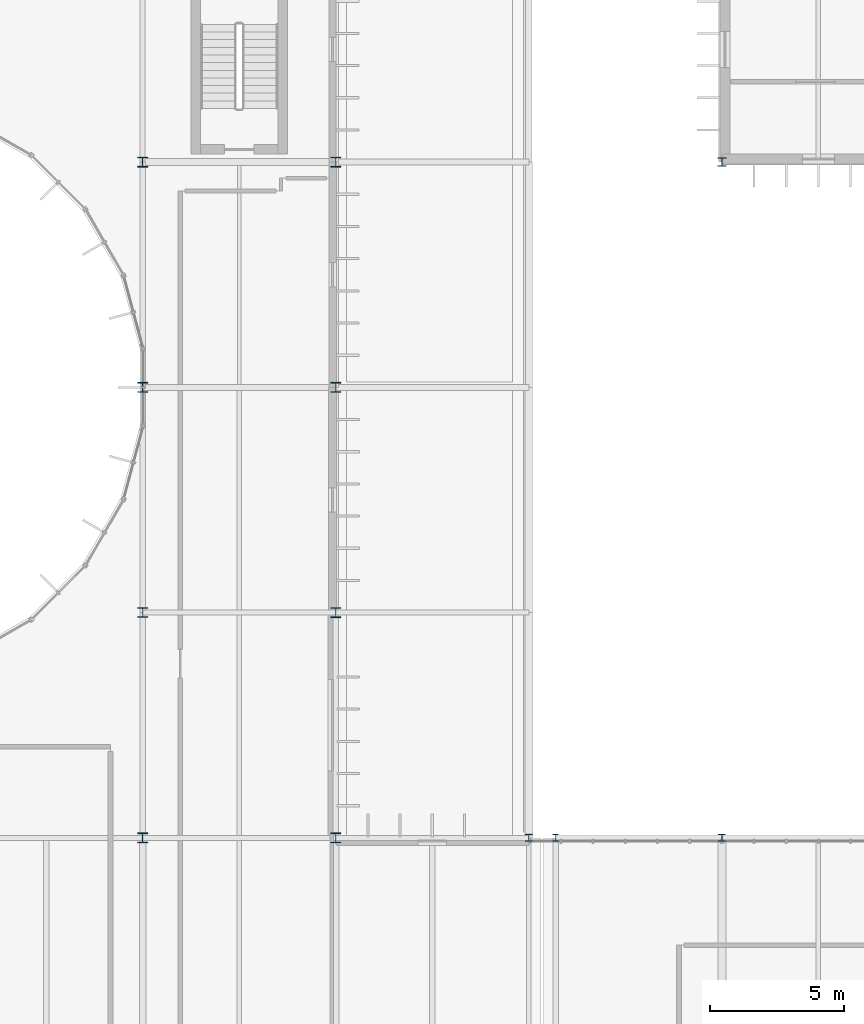
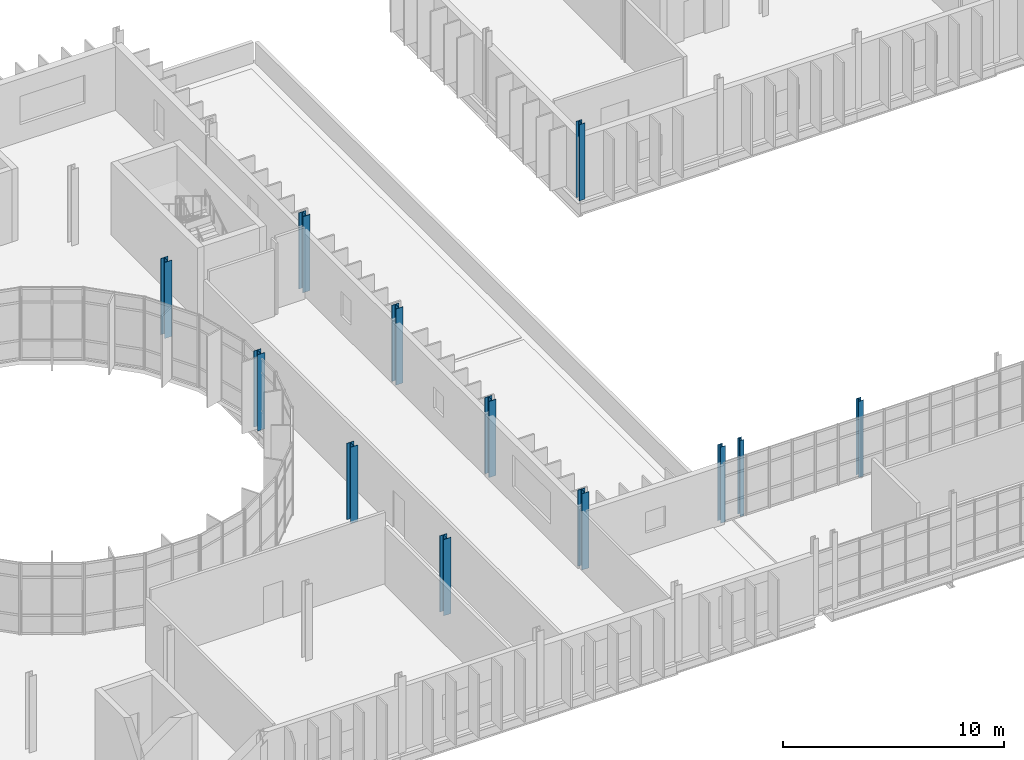
# One storey, part 7 of 99: 12 columns.
"""IFC4 building model written with IfcOpenShell, lengths in metres."""

from ifc_helpers import new_model, si_unit, direction, frame, origin, origin_2d, place, context, subcontext, project, spatial, i_section, extrude, material, material_profile, profile_set, type_object, element, save


model = new_model("IFC4")

# Units and contexts
model_context = context("Model", 3, precision=1e-05, world=origin(), true_north=direction((0.0, 1.0)))
body_context = subcontext(model_context, "Body", "Model", "MODEL_VIEW")
ifc_project = project(units=[si_unit("LENGTHUNIT", "METRE"), si_unit("AREAUNIT", "SQUARE_METRE"), si_unit("VOLUMEUNIT", "CUBIC_METRE"), si_unit("PLANEANGLEUNIT", "RADIAN"), si_unit("MASSUNIT", "GRAM", prefix="KILO")], contexts=[model_context])

# Site, building, storey
site_placement = place(None, origin())
site = spatial("IfcSite", under=ifc_project, at=site_placement, CompositionType="ELEMENT")
building_placement = place(site_placement, origin())
building = spatial("IfcBuilding", under=site, at=building_placement, Name="Qelthora Terrace Specialist Clinic", CompositionType="ELEMENT")
storey_placement = place(building_placement, frame((0.0, 0.0, 9.0)))
storey = spatial("IfcBuildingStorey", under=building, at=storey_placement, Name="L02", CompositionType="ELEMENT", Elevation=9.0)

# Columns
ifc_material = material(Name="Steel S355", Category="steel")
ifc_material_profile_1 = material_profile(ifc_material, i_section(OverallWidth=0.2041015625, OverallDepth=0.257080078125, WebThickness=0.0087890625, FlangeThickness=0.015625, FilletRadius=0.012939453125, at=origin_2d()), Name="W250X67")
ifc_profile_set_1 = profile_set([ifc_material_profile_1], Name="Steel S355")
column_type_1 = type_object("IfcColumnType", Name="COL-W250X67", PredefinedType="COLUMN", material=ifc_profile_set_1)
column_1_placement = place(storey_placement, frame((51.39990234375, 67.199951171875, 0.0), z_axis=(0.0, 0.0, 1.0), x_axis=(1.0, 0.0, 0.0)))
element("IfcColumn", 1, at=column_1_placement, inside=storey, type_object=column_type_1, Name="Column L02-103", PredefinedType="COLUMN", context=body_context, shape_type="SweptSolid", body=[
    extrude(i_section(OverallWidth=0.2041015625, OverallDepth=0.257080078125, WebThickness=0.0087890625, FlangeThickness=0.015625, FilletRadius=0.012939453125, at=origin_2d()), origin(), (0.0, 0.0, 1.0), 4.199951171875),
])
ifc_material_profile_2 = material_profile(ifc_material, i_section(OverallWidth=0.25390625, OverallDepth=0.2529296875, WebThickness=0.008544921875, FlangeThickness=0.01416015625, FilletRadius=0.012939453125, at=origin_2d()), Name="W250X73")
ifc_profile_set_2 = profile_set([ifc_material_profile_2], Name="Steel S355")
column_type_2 = type_object("IfcColumnType", Name="COL-W250X73", PredefinedType="COLUMN", material=ifc_profile_set_2)
for number, where, z_axis, x_axis, name in (
    (2, (50.39990234375, 67.199951171875, 0.0), (0.0, 0.0, 1.0), (1.0, 0.0, 0.0), "Column L02-094"),
    (3, (57.60009765625, 67.199951171875, 0.0), (0.0, 0.0, 1.0), (1.0, 0.0, 0.0), "Column L02-110"),
):
    element("IfcColumn", number, at=place(storey_placement, frame(where, z_axis=z_axis, x_axis=x_axis)), inside=storey, type_object=column_type_2, Name=name, PredefinedType="COLUMN", context=body_context, shape_type="SweptSolid", body=[
        extrude(i_section(OverallWidth=0.25390625, OverallDepth=0.2529296875, WebThickness=0.008544921875, FlangeThickness=0.01416015625, FilletRadius=0.012939453125, at=origin_2d()), origin(), (0.0, 0.0, 1.0), 4.199951171875),
    ])
ifc_material_profile_3 = material_profile(ifc_material, i_section(OverallWidth=0.30810546875, OverallDepth=0.318115234375, WebThickness=0.01318359375, FlangeThickness=0.0205078125, FilletRadius=0.01611328125, at=origin_2d()), Name="W310X129")
ifc_profile_set_3 = profile_set([ifc_material_profile_3], Name="Steel S355")
column_type_3 = type_object("IfcColumnType", Name="COL-W310X129", PredefinedType="COLUMN", material=ifc_profile_set_3)
column_2_placement = place(storey_placement, frame((57.60009765625, 92.39990234375, 0.0), z_axis=(0.0, 0.0, 1.0), x_axis=(1.0, 0.0, 0.0)))
element("IfcColumn", 4, at=column_2_placement, inside=storey, type_object=column_type_3, Name="Column L02-111", PredefinedType="COLUMN", context=body_context, shape_type="SweptSolid", body=[
    extrude(i_section(OverallWidth=0.30810546875, OverallDepth=0.318115234375, WebThickness=0.01318359375, FlangeThickness=0.0205078125, FilletRadius=0.01611328125, at=origin_2d()), origin(), (0.0, 0.0, 1.0), 4.199951171875),
])
ifc_material_profile_4 = material_profile(ifc_material, i_section(OverallWidth=0.37109375, OverallDepth=0.364013671875, WebThickness=0.01318359375, FlangeThickness=0.021728515625, FilletRadius=0.02001953125, at=origin_2d()), Name="W360X162")
ifc_profile_set_4 = profile_set([ifc_material_profile_4], Name="Steel S355")
column_type_4 = type_object("IfcColumnType", Name="COL-W360X162", PredefinedType="COLUMN", material=ifc_profile_set_4)
for number, where, z_axis, x_axis, name in (
    (5, (36.0, 75.60009765625, 0.0), (0.0, 0.0, 1.0), (1.0, 0.0, 0.0), "Column L02-074"),
    (6, (43.199951171875, 84.0, 0.0), (0.0, 0.0, 1.0), (1.0, 0.0, 0.0), "Column L02-089"),
):
    element("IfcColumn", number, at=place(storey_placement, frame(where, z_axis=z_axis, x_axis=x_axis)), inside=storey, type_object=column_type_4, Name=name, PredefinedType="COLUMN", context=body_context, shape_type="SweptSolid", body=[
        extrude(i_section(OverallWidth=0.37109375, OverallDepth=0.364013671875, WebThickness=0.01318359375, FlangeThickness=0.021728515625, FilletRadius=0.02001953125, at=origin_2d()), origin(), (0.0, 0.0, 1.0), 4.199951171875),
    ])
ifc_material_profile_5 = material_profile(ifc_material, i_section(OverallWidth=0.373046875, OverallDepth=0.367919921875, WebThickness=0.014892578125, FlangeThickness=0.02392578125, FilletRadius=0.02001953125, at=origin_2d()), Name="W360X179")
ifc_profile_set_5 = profile_set([ifc_material_profile_5], Name="Steel S355")
column_type_5 = type_object("IfcColumnType", Name="COL-W360X179", PredefinedType="COLUMN", material=ifc_profile_set_5)
for number, where, z_axis, x_axis, name in (
    (7, (36.0, 67.199951171875, 0.0), (0.0, 0.0, 1.0), (1.0, 0.0, 0.0), "Column L02-073"),
    (8, (36.0, 92.39990234375, 0.0), (0.0, 0.0, 1.0), (1.0, 0.0, 0.0), "Column L02-076"),
    (9, (43.199951171875, 75.60009765625, 0.0), (0.0, 0.0, 1.0), (1.0, 0.0, 0.0), "Column L02-088"),
):
    element("IfcColumn", number, at=place(storey_placement, frame(where, z_axis=z_axis, x_axis=x_axis)), inside=storey, type_object=column_type_5, Name=name, PredefinedType="COLUMN", context=body_context, shape_type="SweptSolid", body=[
        extrude(i_section(OverallWidth=0.373046875, OverallDepth=0.367919921875, WebThickness=0.014892578125, FlangeThickness=0.02392578125, FilletRadius=0.02001953125, at=origin_2d()), origin(), (0.0, 0.0, 1.0), 4.199951171875),
    ])
ifc_material_profile_6 = material_profile(ifc_material, i_section(OverallWidth=0.3740234375, OverallDepth=0.3720703125, WebThickness=0.016357421875, FlangeThickness=0.026123046875, FilletRadius=0.02001953125, at=origin_2d()), Name="W360X196")
ifc_profile_set_6 = profile_set([ifc_material_profile_6], Name="Steel S355")
column_type_6 = type_object("IfcColumnType", Name="COL-W360X196", PredefinedType="COLUMN", material=ifc_profile_set_6)
for number, where, z_axis, x_axis, name in (
    (10, (36.0, 84.0, 0.0), (0.0, 0.0, 1.0), (1.0, 0.0, 0.0), "Column L02-075"),
    (11, (43.199951171875, 67.199951171875, 0.0), (0.0, 0.0, 1.0), (1.0, 0.0, 0.0), "Column L02-087"),
    (12, (43.199951171875, 92.39990234375, 0.0), (0.0, 0.0, 1.0), (1.0, 0.0, 0.0), "Column L02-090"),
):
    element("IfcColumn", number, at=place(storey_placement, frame(where, z_axis=z_axis, x_axis=x_axis)), inside=storey, type_object=column_type_6, Name=name, PredefinedType="COLUMN", context=body_context, shape_type="SweptSolid", body=[
        extrude(i_section(OverallWidth=0.3740234375, OverallDepth=0.3720703125, WebThickness=0.016357421875, FlangeThickness=0.026123046875, FilletRadius=0.02001953125, at=origin_2d()), origin(), (0.0, 0.0, 1.0), 4.199951171875),
    ])

save(model, "model.ifc")
